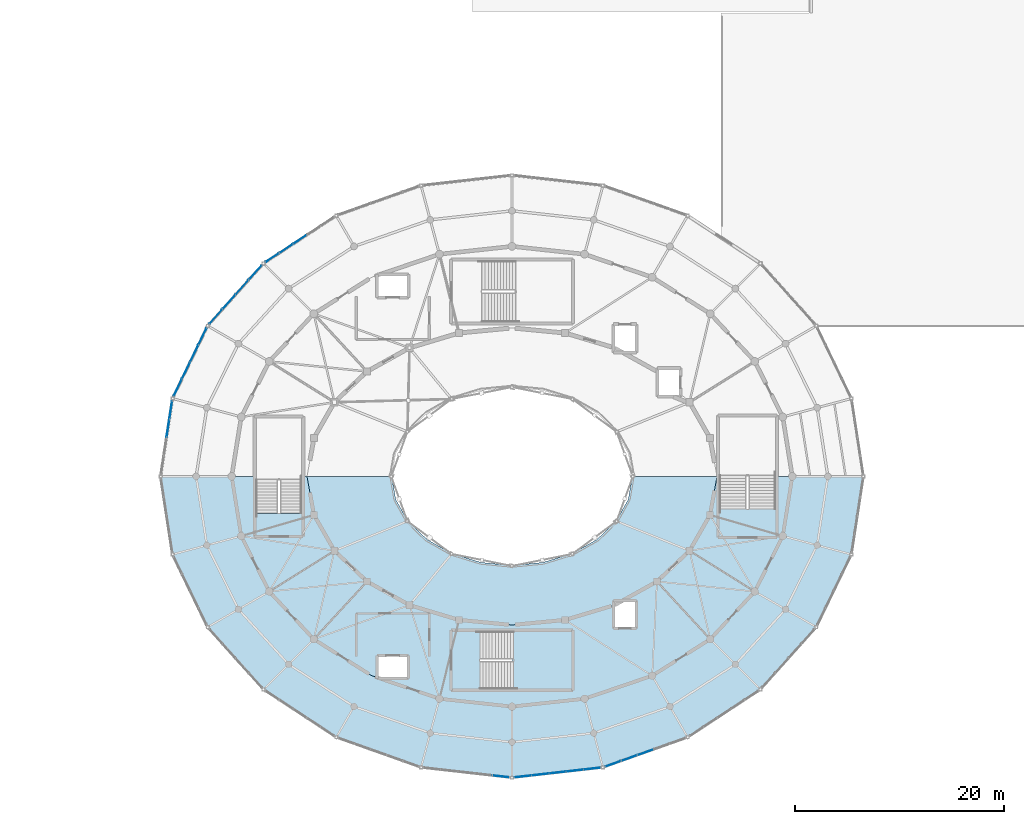
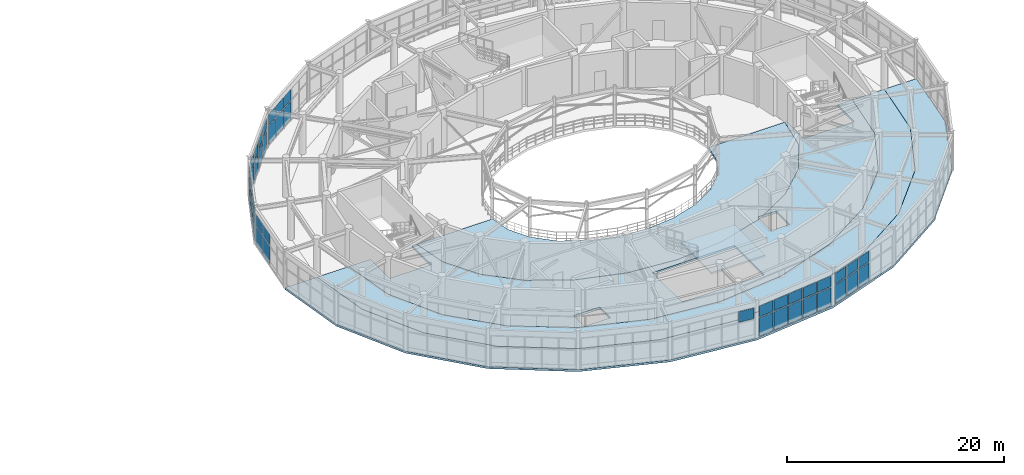
# One storey, part 32 of 60: 43 plates, 5 slabs, 8 elements without a shape of their own.
"""IFC4 building model written with IfcOpenShell, lengths in metres."""

from ifc_helpers import new_model, si_unit, direction, frame, origin, origin_2d, place, context, subcontext, project, spatial, polyline, rectangle, outline, extrude, material, layer, layer_set, type_object, element, aggregate, save


model = new_model("IFC4")

# Units and contexts
model_context = context("Model", 3, precision=1e-05, world=origin(), true_north=direction((0.0, 1.0)))
body_context = subcontext(model_context, "Body", "Model", "MODEL_VIEW")
ifc_project = project(units=[si_unit("LENGTHUNIT", "METRE"), si_unit("AREAUNIT", "SQUARE_METRE"), si_unit("VOLUMEUNIT", "CUBIC_METRE"), si_unit("PLANEANGLEUNIT", "RADIAN"), si_unit("MASSUNIT", "GRAM", prefix="KILO")], contexts=[model_context])

# Site, building, storey
site_placement = place(None, origin())
site = spatial("IfcSite", under=ifc_project, at=site_placement, CompositionType="ELEMENT")
building_placement = place(site_placement, origin())
building = spatial("IfcBuilding", under=site, at=building_placement, Name="Cinderbank Siding Concert Hall", CompositionType="ELEMENT")
storey_placement = place(building_placement, frame((0.0, 0.0, 14.699951171875)))
storey = spatial("IfcBuildingStorey", under=building, at=storey_placement, Name="L04", CompositionType="ELEMENT", Elevation=14.699951171875)

# Curtain wall, plates
ifc_material_1 = material(Name="Anodised aluminium alloy 6063-T6", Category="aluminium")
curtain_wall_type_1 = type_object("IfcCurtainWallType", Name="CW-09 Unitised Acoustic Curtain Wall 8000x3500", PredefinedType="NOTDEFINED", material=ifc_material_1)
curtain_wall_1_placement = place(storey_placement, origin())
curtain_wall_1 = element("IfcCurtainWall", 1, at=curtain_wall_1_placement, inside=storey, type_object=curtain_wall_type_1, Name="L04 Curtain Wall CW-09 #56", PredefinedType="NOTDEFINED")
ifc_material_2 = material(Name="Double-glazed laminated acoustic glass", Category="glass")
ifc_layer_1 = layer(ifc_material_2, 0.035888671875)
ifc_layer_set_1 = layer_set([ifc_layer_1], Name="Double-glazed laminated acoustic glass")
plate_type_1 = type_object("IfcPlateType", Name="CP-01 Glazed Curtain Panel 1800x2200", PredefinedType="CURTAIN_PANEL", material=ifc_layer_set_1)
plate_1_placement = place(storey_placement, frame((101.720703125, 66.653076171875, 0.1201171875), z_axis=(0.0, 0.0, 1.0), x_axis=(-0.835491932304, -0.549502712509, 0.0)))
plate_1 = element("IfcPlate", 2, at=plate_1_placement, type_object=plate_type_1, Name="CW-L04-056 Glazed Panel 2-0", PredefinedType="CURTAIN_PANEL", context=body_context, shape_type="SweptSolid", body=[
    extrude(rectangle(XDim=1.47509765625, YDim=0.035888671875, at=origin_2d()), origin(), (0.0, 0.0, 1.0), 2.0625),
])
plate_2_placement = place(storey_placement, frame((101.720703125, 66.653076171875, 2.302734375), z_axis=(0.0, 0.0, 1.0), x_axis=(-0.835491932304, -0.549502712509, 0.0)))
plate_2 = element("IfcPlate", 3, at=plate_2_placement, type_object=plate_type_1, Name="CW-L04-056 Glazed Panel 2-1", PredefinedType="CURTAIN_PANEL", context=body_context, shape_type="SweptSolid", body=[
    extrude(rectangle(XDim=1.47509765625, YDim=0.035888671875, at=origin_2d()), origin(), (0.0, 0.0, 1.0), 1.194580078125),
])
plate_3_placement = place(storey_placement, frame((100.40478515625, 65.78759765625, 0.1201171875), z_axis=(0.0, 0.0, 1.0), x_axis=(-0.835491932304, -0.549502712509, 0.0)))
plate_3 = element("IfcPlate", 4, at=plate_3_placement, type_object=plate_type_1, Name="CW-L04-056 Glazed Panel 3-0", PredefinedType="CURTAIN_PANEL", context=body_context, shape_type="SweptSolid", body=[
    extrude(rectangle(XDim=1.47509765625, YDim=0.035888671875, at=origin_2d()), origin(), (0.0, 0.0, 1.0), 2.0625),
])
plate_4_placement = place(storey_placement, frame((100.40478515625, 65.78759765625, 2.302734375), z_axis=(0.0, 0.0, 1.0), x_axis=(-0.835491932304, -0.549502712509, 0.0)))
plate_4 = element("IfcPlate", 5, at=plate_4_placement, type_object=plate_type_1, Name="CW-L04-056 Glazed Panel 3-1", PredefinedType="CURTAIN_PANEL", context=body_context, shape_type="SweptSolid", body=[
    extrude(rectangle(XDim=1.47509765625, YDim=0.035888671875, at=origin_2d()), origin(), (0.0, 0.0, 1.0), 1.194580078125),
])
plate_5_placement = place(storey_placement, frame((99.0888671875, 64.922119140625, 0.1201171875), z_axis=(0.0, 0.0, 1.0), x_axis=(-0.835491932304, -0.549502712509, 0.0)))
plate_5 = element("IfcPlate", 6, at=plate_5_placement, type_object=plate_type_1, Name="CW-L04-056 Glazed Panel 4-0", PredefinedType="CURTAIN_PANEL", context=body_context, shape_type="SweptSolid", body=[
    extrude(rectangle(XDim=1.47509765625, YDim=0.035888671875, at=origin_2d()), origin(), (0.0, 0.0, 1.0), 2.0625),
])
plate_6_placement = place(storey_placement, frame((99.0888671875, 64.922119140625, 2.302734375), z_axis=(0.0, 0.0, 1.0), x_axis=(-0.835491932304, -0.549502712509, 0.0)))
plate_6 = element("IfcPlate", 7, at=plate_6_placement, type_object=plate_type_1, Name="CW-L04-056 Glazed Panel 4-1", PredefinedType="CURTAIN_PANEL", context=body_context, shape_type="SweptSolid", body=[
    extrude(rectangle(XDim=1.47509765625, YDim=0.035888671875, at=origin_2d()), origin(), (0.0, 0.0, 1.0), 1.194580078125),
])
aggregate(curtain_wall_1, [plate_1, plate_2, plate_3, plate_4, plate_5, plate_6])

curtain_wall_type_2 = type_object("IfcCurtainWallType", Name="CW-10 Unitised Acoustic Curtain Wall 7200x3500", PredefinedType="NOTDEFINED", material=ifc_material_1)
curtain_wall_2_placement = place(storey_placement, origin())
curtain_wall_2 = element("IfcCurtainWall", 8, at=curtain_wall_2_placement, inside=storey, type_object=curtain_wall_type_2, Name="L04 Curtain Wall CW-10 #57", PredefinedType="NOTDEFINED")
ifc_layer_2 = layer(ifc_material_2, 0.035888671875)
ifc_layer_set_2 = layer_set([ifc_layer_2], Name="Double-glazed laminated acoustic glass")
plate_type_2 = type_object("IfcPlateType", Name="CP-02 Glazed Curtain Panel 1800x1900", PredefinedType="CURTAIN_PANEL", material=ifc_layer_set_2)
plate_7_placement = place(storey_placement, frame((97.460205078125, 63.4921875, 0.1201171875), z_axis=(0.0, 0.0, 1.0), x_axis=(-0.666993465338, -0.745063565877, 0.0)))
plate_7 = element("IfcPlate", 9, at=plate_7_placement, type_object=plate_type_2, Name="CW-L04-057 Glazed Panel 0-0", PredefinedType="CURTAIN_PANEL", context=body_context, shape_type="SweptSolid", body=[
    extrude(rectangle(XDim=1.787841796875, YDim=0.035888671875, at=origin_2d()), origin(), (0.0, 0.0, 1.0), 2.0625),
])
plate_8_placement = place(storey_placement, frame((97.460205078125, 63.4921875, 2.302734375), z_axis=(0.0, 0.0, 1.0), x_axis=(-0.666993465338, -0.745063565877, 0.0)))
plate_8 = element("IfcPlate", 10, at=plate_8_placement, type_object=plate_type_2, Name="CW-L04-057 Glazed Panel 0-1", PredefinedType="CURTAIN_PANEL", context=body_context, shape_type="SweptSolid", body=[
    extrude(rectangle(XDim=1.787841796875, YDim=0.035888671875, at=origin_2d()), origin(), (0.0, 0.0, 1.0), 1.194580078125),
])
plate_9_placement = place(storey_placement, frame((96.200927734375, 62.085693359375, 0.1201171875), z_axis=(0.0, 0.0, 1.0), x_axis=(-0.666993465338, -0.745063565877, 0.0)))
plate_9 = element("IfcPlate", 11, at=plate_9_placement, type_object=plate_type_2, Name="CW-L04-057 Glazed Panel 1-0", PredefinedType="CURTAIN_PANEL", context=body_context, shape_type="SweptSolid", body=[
    extrude(rectangle(XDim=1.787841796875, YDim=0.035888671875, at=origin_2d()), origin(), (0.0, 0.0, 1.0), 2.0625),
])
plate_10_placement = place(storey_placement, frame((96.200927734375, 62.085693359375, 2.302734375), z_axis=(0.0, 0.0, 1.0), x_axis=(-0.666993465338, -0.745063565877, 0.0)))
plate_10 = element("IfcPlate", 12, at=plate_10_placement, type_object=plate_type_2, Name="CW-L04-057 Glazed Panel 1-1", PredefinedType="CURTAIN_PANEL", context=body_context, shape_type="SweptSolid", body=[
    extrude(rectangle(XDim=1.787841796875, YDim=0.035888671875, at=origin_2d()), origin(), (0.0, 0.0, 1.0), 1.194580078125),
])
plate_11_placement = place(storey_placement, frame((94.941650390625, 60.678955078125, 0.1201171875), z_axis=(0.0, 0.0, 1.0), x_axis=(-0.666993465338, -0.745063565877, 0.0)))
plate_11 = element("IfcPlate", 13, at=plate_11_placement, type_object=plate_type_2, Name="CW-L04-057 Glazed Panel 2-0", PredefinedType="CURTAIN_PANEL", context=body_context, shape_type="SweptSolid", body=[
    extrude(rectangle(XDim=1.787841796875, YDim=0.035888671875, at=origin_2d()), origin(), (0.0, 0.0, 1.0), 2.0625),
])
plate_12_placement = place(storey_placement, frame((94.941650390625, 60.678955078125, 2.302734375), z_axis=(0.0, 0.0, 1.0), x_axis=(-0.666993465338, -0.745063565877, 0.0)))
plate_12 = element("IfcPlate", 14, at=plate_12_placement, type_object=plate_type_2, Name="CW-L04-057 Glazed Panel 2-1", PredefinedType="CURTAIN_PANEL", context=body_context, shape_type="SweptSolid", body=[
    extrude(rectangle(XDim=1.787841796875, YDim=0.035888671875, at=origin_2d()), origin(), (0.0, 0.0, 1.0), 1.194580078125),
])
plate_13_placement = place(storey_placement, frame((93.6826171875, 59.2724609375, 0.1201171875), z_axis=(0.0, 0.0, 1.0), x_axis=(-0.666993465338, -0.745063565877, 0.0)))
plate_13 = element("IfcPlate", 15, at=plate_13_placement, type_object=plate_type_2, Name="CW-L04-057 Glazed Panel 3-0", PredefinedType="CURTAIN_PANEL", context=body_context, shape_type="SweptSolid", body=[
    extrude(rectangle(XDim=1.787841796875, YDim=0.035888671875, at=origin_2d()), origin(), (0.0, 0.0, 1.0), 2.0625),
])
plate_14_placement = place(storey_placement, frame((93.6826171875, 59.2724609375, 2.302734375), z_axis=(0.0, 0.0, 1.0), x_axis=(-0.666993465338, -0.745063565877, 0.0)))
plate_14 = element("IfcPlate", 16, at=plate_14_placement, type_object=plate_type_2, Name="CW-L04-057 Glazed Panel 3-1", PredefinedType="CURTAIN_PANEL", context=body_context, shape_type="SweptSolid", body=[
    extrude(rectangle(XDim=1.787841796875, YDim=0.035888671875, at=origin_2d()), origin(), (0.0, 0.0, 1.0), 1.194580078125),
])
aggregate(curtain_wall_2, [plate_7, plate_8, plate_9, plate_10, plate_11, plate_12, plate_13, plate_14])

# Curtain wall, plate
curtain_wall_type_3 = type_object("IfcCurtainWallType", Name="CW-06 Unitised Acoustic Curtain Wall 7600x3800", PredefinedType="NOTDEFINED", material=ifc_material_1)
curtain_wall_3_placement = place(storey_placement, origin())
curtain_wall_3 = element("IfcCurtainWall", 17, at=curtain_wall_3_placement, inside=storey, type_object=curtain_wall_type_3, Name="L04 Curtain Wall CW-06 #65", PredefinedType="NOTDEFINED")
plate_15_placement = place(storey_placement, frame((120.949951171875, 15.318603515625, 2.302734375), z_axis=(0.0, 0.0, 1.0), x_axis=(0.993693605349, -0.112129472879, 0.0)))
plate_15 = element("IfcPlate", 18, at=plate_15_placement, type_object=plate_type_2, Name="CW-L04-065 Glazed Panel 4-1", PredefinedType="CURTAIN_PANEL", context=body_context, shape_type="SweptSolid", body=[
    extrude(rectangle(XDim=1.5595703125, YDim=0.035888671875, at=origin_2d()), origin(), (0.0, 0.0, 1.0), 1.194580078125),
])
aggregate(curtain_wall_3, [plate_15])

# Curtain wall, plates
curtain_wall_type_4 = type_object("IfcCurtainWallType", Name="CW-11 Unitised Acoustic Curtain Wall 6600x3500", PredefinedType="NOTDEFINED", material=ifc_material_1)
curtain_wall_4_placement = place(storey_placement, origin())
curtain_wall_4 = element("IfcCurtainWall", 19, at=curtain_wall_4_placement, inside=storey, type_object=curtain_wall_type_4, Name="L04 Curtain Wall CW-11 #58", PredefinedType="NOTDEFINED")
ifc_layer_3 = layer(ifc_material_2, 0.035888671875)
ifc_layer_set_3 = layer_set([ifc_layer_3], Name="Double-glazed laminated acoustic glass")
plate_type_3 = type_object("IfcPlateType", Name="CP-03 Glazed Curtain Panel 1600x2100", PredefinedType="CURTAIN_PANEL", material=ifc_layer_set_3)
plate_16_placement = place(storey_placement, frame((92.407958984375, 57.37841796875, 0.1201171875), z_axis=(0.0, 0.0, 1.0), x_axis=(-0.435102109714, -0.900381116041, 0.0)))
plate_16 = element("IfcPlate", 20, at=plate_16_placement, type_object=plate_type_3, Name="CW-L04-058 Glazed Panel 0-0", PredefinedType="CURTAIN_PANEL", context=body_context, shape_type="SweptSolid", body=[
    extrude(rectangle(XDim=1.715087890625, YDim=0.035888671875, at=origin_2d()), origin(), (0.0, 0.0, 1.0), 2.0625),
])
plate_17_placement = place(storey_placement, frame((92.407958984375, 57.37841796875, 2.302734375), z_axis=(0.0, 0.0, 1.0), x_axis=(-0.435102109714, -0.900381116041, 0.0)))
plate_17 = element("IfcPlate", 21, at=plate_17_placement, type_object=plate_type_3, Name="CW-L04-058 Glazed Panel 0-1", PredefinedType="CURTAIN_PANEL", context=body_context, shape_type="SweptSolid", body=[
    extrude(rectangle(XDim=1.715087890625, YDim=0.035888671875, at=origin_2d()), origin(), (0.0, 0.0, 1.0), 1.194580078125),
])
plate_18_placement = place(storey_placement, frame((91.6181640625, 55.744140625, 0.1201171875), z_axis=(0.0, 0.0, 1.0), x_axis=(-0.435102109714, -0.900381116041, 0.0)))
plate_18 = element("IfcPlate", 22, at=plate_18_placement, type_object=plate_type_3, Name="CW-L04-058 Glazed Panel 1-0", PredefinedType="CURTAIN_PANEL", context=body_context, shape_type="SweptSolid", body=[
    extrude(rectangle(XDim=1.715087890625, YDim=0.035888671875, at=origin_2d()), origin(), (0.0, 0.0, 1.0), 2.0625),
])
plate_19_placement = place(storey_placement, frame((91.6181640625, 55.744140625, 2.302734375), z_axis=(0.0, 0.0, 1.0), x_axis=(-0.435102109714, -0.900381116041, 0.0)))
plate_19 = element("IfcPlate", 23, at=plate_19_placement, type_object=plate_type_3, Name="CW-L04-058 Glazed Panel 1-1", PredefinedType="CURTAIN_PANEL", context=body_context, shape_type="SweptSolid", body=[
    extrude(rectangle(XDim=1.715087890625, YDim=0.035888671875, at=origin_2d()), origin(), (0.0, 0.0, 1.0), 1.194580078125),
])
plate_20_placement = place(storey_placement, frame((90.828369140625, 54.10986328125, 0.1201171875), z_axis=(0.0, 0.0, 1.0), x_axis=(-0.435102109714, -0.900381116041, 0.0)))
plate_20 = element("IfcPlate", 24, at=plate_20_placement, type_object=plate_type_3, Name="CW-L04-058 Glazed Panel 2-0", PredefinedType="CURTAIN_PANEL", context=body_context, shape_type="SweptSolid", body=[
    extrude(rectangle(XDim=1.715087890625, YDim=0.035888671875, at=origin_2d()), origin(), (0.0, 0.0, 1.0), 2.0625),
])
plate_21_placement = place(storey_placement, frame((90.828369140625, 54.10986328125, 2.302734375), z_axis=(0.0, 0.0, 1.0), x_axis=(-0.435102109714, -0.900381116041, 0.0)))
plate_21 = element("IfcPlate", 25, at=plate_21_placement, type_object=plate_type_3, Name="CW-L04-058 Glazed Panel 2-1", PredefinedType="CURTAIN_PANEL", context=body_context, shape_type="SweptSolid", body=[
    extrude(rectangle(XDim=1.715087890625, YDim=0.035888671875, at=origin_2d()), origin(), (0.0, 0.0, 1.0), 1.194580078125),
])
plate_22_placement = place(storey_placement, frame((90.03857421875, 52.4755859375, 0.1201171875), z_axis=(0.0, 0.0, 1.0), x_axis=(-0.435102109714, -0.900381116041, 0.0)))
plate_22 = element("IfcPlate", 26, at=plate_22_placement, type_object=plate_type_3, Name="CW-L04-058 Glazed Panel 3-0", PredefinedType="CURTAIN_PANEL", context=body_context, shape_type="SweptSolid", body=[
    extrude(rectangle(XDim=1.715087890625, YDim=0.035888671875, at=origin_2d()), origin(), (0.0, 0.0, 1.0), 2.0625),
])
plate_23_placement = place(storey_placement, frame((90.03857421875, 52.4755859375, 2.302734375), z_axis=(0.0, 0.0, 1.0), x_axis=(-0.435102109714, -0.900381116041, 0.0)))
plate_23 = element("IfcPlate", 27, at=plate_23_placement, type_object=plate_type_3, Name="CW-L04-058 Glazed Panel 3-1", PredefinedType="CURTAIN_PANEL", context=body_context, shape_type="SweptSolid", body=[
    extrude(rectangle(XDim=1.715087890625, YDim=0.035888671875, at=origin_2d()), origin(), (0.0, 0.0, 1.0), 1.194580078125),
])
aggregate(curtain_wall_4, [plate_16, plate_17, plate_18, plate_19, plate_20, plate_21, plate_22, plate_23])

curtain_wall_type_5 = type_object("IfcCurtainWallType", Name="CW-07 Unitised Acoustic Curtain Wall 7000x3800", PredefinedType="NOTDEFINED", material=ifc_material_1)
curtain_wall_5_placement = place(storey_placement, origin())
curtain_wall_5 = element("IfcCurtainWall", 28, at=curtain_wall_5_placement, inside=storey, type_object=curtain_wall_type_5, Name="L04 Curtain Wall CW-07 #66", PredefinedType="NOTDEFINED")
plate_24_placement = place(storey_placement, frame((123.050048828125, 15.318603515625, 0.1201171875), z_axis=(0.0, 0.0, 1.0), x_axis=(0.993693605349, 0.112129472879, 0.0)))
plate_24 = element("IfcPlate", 29, at=plate_24_placement, type_object=plate_type_3, Name="CW-L04-066 Glazed Panel 0-0", PredefinedType="CURTAIN_PANEL", context=body_context, shape_type="SweptSolid", body=[
    extrude(rectangle(XDim=1.5595703125, YDim=0.035888671875, at=origin_2d()), origin(), (0.0, 0.0, 1.0), 2.0625),
])
plate_25_placement = place(storey_placement, frame((123.050048828125, 15.318603515625, 2.302734375), z_axis=(0.0, 0.0, 1.0), x_axis=(0.993693605349, 0.112129472879, 0.0)))
plate_25 = element("IfcPlate", 30, at=plate_25_placement, type_object=plate_type_3, Name="CW-L04-066 Glazed Panel 0-1", PredefinedType="CURTAIN_PANEL", context=body_context, shape_type="SweptSolid", body=[
    extrude(rectangle(XDim=1.5595703125, YDim=0.035888671875, at=origin_2d()), origin(), (0.0, 0.0, 1.0), 1.194580078125),
])
plate_26_placement = place(storey_placement, frame((124.69921875, 15.504638671875, 0.1201171875), z_axis=(0.0, 0.0, 1.0), x_axis=(0.993693605349, 0.112129472879, 0.0)))
plate_26 = element("IfcPlate", 31, at=plate_26_placement, type_object=plate_type_3, Name="CW-L04-066 Glazed Panel 1-0", PredefinedType="CURTAIN_PANEL", context=body_context, shape_type="SweptSolid", body=[
    extrude(rectangle(XDim=1.5595703125, YDim=0.035888671875, at=origin_2d()), origin(), (0.0, 0.0, 1.0), 2.0625),
])
plate_27_placement = place(storey_placement, frame((124.69921875, 15.504638671875, 2.302734375), z_axis=(0.0, 0.0, 1.0), x_axis=(0.993693605349, 0.112129472879, 0.0)))
plate_27 = element("IfcPlate", 32, at=plate_27_placement, type_object=plate_type_3, Name="CW-L04-066 Glazed Panel 1-1", PredefinedType="CURTAIN_PANEL", context=body_context, shape_type="SweptSolid", body=[
    extrude(rectangle(XDim=1.5595703125, YDim=0.035888671875, at=origin_2d()), origin(), (0.0, 0.0, 1.0), 1.194580078125),
])
plate_28_placement = place(storey_placement, frame((126.34814453125, 15.690673828125, 0.1201171875), z_axis=(0.0, 0.0, 1.0), x_axis=(0.993693605349, 0.112129472879, 0.0)))
plate_28 = element("IfcPlate", 33, at=plate_28_placement, type_object=plate_type_3, Name="CW-L04-066 Glazed Panel 2-0", PredefinedType="CURTAIN_PANEL", context=body_context, shape_type="SweptSolid", body=[
    extrude(rectangle(XDim=1.5595703125, YDim=0.035888671875, at=origin_2d()), origin(), (0.0, 0.0, 1.0), 2.0625),
])
plate_29_placement = place(storey_placement, frame((126.34814453125, 15.690673828125, 2.302734375), z_axis=(0.0, 0.0, 1.0), x_axis=(0.993693605349, 0.112129472879, 0.0)))
plate_29 = element("IfcPlate", 34, at=plate_29_placement, type_object=plate_type_3, Name="CW-L04-066 Glazed Panel 2-1", PredefinedType="CURTAIN_PANEL", context=body_context, shape_type="SweptSolid", body=[
    extrude(rectangle(XDim=1.5595703125, YDim=0.035888671875, at=origin_2d()), origin(), (0.0, 0.0, 1.0), 1.194580078125),
])
plate_30_placement = place(storey_placement, frame((127.997314453125, 15.876708984375, 0.1201171875), z_axis=(0.0, 0.0, 1.0), x_axis=(0.993693605349, 0.112129472879, 0.0)))
plate_30 = element("IfcPlate", 35, at=plate_30_placement, type_object=plate_type_3, Name="CW-L04-066 Glazed Panel 3-0", PredefinedType="CURTAIN_PANEL", context=body_context, shape_type="SweptSolid", body=[
    extrude(rectangle(XDim=1.5595703125, YDim=0.035888671875, at=origin_2d()), origin(), (0.0, 0.0, 1.0), 2.0625),
])
plate_31_placement = place(storey_placement, frame((127.997314453125, 15.876708984375, 2.302734375), z_axis=(0.0, 0.0, 1.0), x_axis=(0.993693605349, 0.112129472879, 0.0)))
plate_31 = element("IfcPlate", 36, at=plate_31_placement, type_object=plate_type_3, Name="CW-L04-066 Glazed Panel 3-1", PredefinedType="CURTAIN_PANEL", context=body_context, shape_type="SweptSolid", body=[
    extrude(rectangle(XDim=1.5595703125, YDim=0.035888671875, at=origin_2d()), origin(), (0.0, 0.0, 1.0), 1.194580078125),
])
plate_32_placement = place(storey_placement, frame((129.646240234375, 16.062744140625, 0.1201171875), z_axis=(0.0, 0.0, 1.0), x_axis=(0.993693605349, 0.112129472879, 0.0)))
plate_32 = element("IfcPlate", 37, at=plate_32_placement, type_object=plate_type_3, Name="CW-L04-066 Glazed Panel 4-0", PredefinedType="CURTAIN_PANEL", context=body_context, shape_type="SweptSolid", body=[
    extrude(rectangle(XDim=1.5595703125, YDim=0.035888671875, at=origin_2d()), origin(), (0.0, 0.0, 1.0), 2.0625),
])
plate_33_placement = place(storey_placement, frame((129.646240234375, 16.062744140625, 2.302734375), z_axis=(0.0, 0.0, 1.0), x_axis=(0.993693605349, 0.112129472879, 0.0)))
plate_33 = element("IfcPlate", 38, at=plate_33_placement, type_object=plate_type_3, Name="CW-L04-066 Glazed Panel 4-1", PredefinedType="CURTAIN_PANEL", context=body_context, shape_type="SweptSolid", body=[
    extrude(rectangle(XDim=1.5595703125, YDim=0.035888671875, at=origin_2d()), origin(), (0.0, 0.0, 1.0), 1.194580078125),
])
aggregate(curtain_wall_5, [plate_24, plate_25, plate_26, plate_27, plate_28, plate_29, plate_30, plate_31, plate_32, plate_33])

curtain_wall_type_6 = type_object("IfcCurtainWallType", Name="CW-12 Unitised Acoustic Curtain Wall 5800x3500", PredefinedType="NOTDEFINED", material=ifc_material_1)
curtain_wall_6_placement = place(storey_placement, origin())
curtain_wall_6 = element("IfcCurtainWall", 39, at=curtain_wall_6_placement, inside=storey, type_object=curtain_wall_type_6, Name="L04 Curtain Wall CW-12 #59", PredefinedType="NOTDEFINED")
ifc_layer_4 = layer(ifc_material_2, 0.031982421875)
ifc_layer_set_4 = layer_set([ifc_layer_4], Name="Double-glazed laminated acoustic glass")
plate_type_4 = type_object("IfcPlateType", Name="CP-04 Glazed Curtain Panel 1400x2000", PredefinedType="CURTAIN_PANEL", material=ifc_layer_set_4)
plate_34_placement = place(storey_placement, frame((89.3759765625, 50.35400390625, 0.1201171875), z_axis=(0.0, 0.0, 1.0), x_axis=(-0.151815048473, -0.988408918949, 0.0)))
plate_34 = element("IfcPlate", 40, at=plate_34_placement, type_object=plate_type_4, Name="CW-L04-059 Glazed Panel 0-0", PredefinedType="CURTAIN_PANEL", context=body_context, shape_type="SweptSolid", body=[
    extrude(rectangle(XDim=1.671875, YDim=0.035888671875, at=origin_2d()), origin(), (0.0, 0.0, 1.0), 2.0625),
])
plate_35_placement = place(storey_placement, frame((89.3759765625, 50.35400390625, 2.302734375), z_axis=(0.0, 0.0, 1.0), x_axis=(-0.151815048473, -0.988408918949, 0.0)))
plate_35 = element("IfcPlate", 41, at=plate_35_placement, type_object=plate_type_4, Name="CW-L04-059 Glazed Panel 0-1", PredefinedType="CURTAIN_PANEL", context=body_context, shape_type="SweptSolid", body=[
    extrude(rectangle(XDim=1.671875, YDim=0.035888671875, at=origin_2d()), origin(), (0.0, 0.0, 1.0), 1.194580078125),
])
plate_36_placement = place(storey_placement, frame((89.10693359375, 48.602783203125, 0.1201171875), z_axis=(0.0, 0.0, 1.0), x_axis=(-0.151815048473, -0.988408918949, 0.0)))
plate_36 = element("IfcPlate", 42, at=plate_36_placement, type_object=plate_type_4, Name="CW-L04-059 Glazed Panel 1-0", PredefinedType="CURTAIN_PANEL", context=body_context, shape_type="SweptSolid", body=[
    extrude(rectangle(XDim=1.671875, YDim=0.035888671875, at=origin_2d()), origin(), (0.0, 0.0, 1.0), 2.0625),
])
plate_37_placement = place(storey_placement, frame((89.10693359375, 48.602783203125, 2.302734375), z_axis=(0.0, 0.0, 1.0), x_axis=(-0.151815048473, -0.988408918949, 0.0)))
plate_37 = element("IfcPlate", 43, at=plate_37_placement, type_object=plate_type_4, Name="CW-L04-059 Glazed Panel 1-1", PredefinedType="CURTAIN_PANEL", context=body_context, shape_type="SweptSolid", body=[
    extrude(rectangle(XDim=1.671875, YDim=0.035888671875, at=origin_2d()), origin(), (0.0, 0.0, 1.0), 1.194580078125),
])
aggregate(curtain_wall_6, [plate_34, plate_35, plate_36, plate_37])

curtain_wall_type_7 = type_object("IfcCurtainWallType", Name="CW-08 Unitised Acoustic Curtain Wall 6400x3800", PredefinedType="NOTDEFINED", material=ifc_material_1)
curtain_wall_7_placement = place(storey_placement, origin())
curtain_wall_7 = element("IfcCurtainWall", 44, at=curtain_wall_7_placement, inside=storey, type_object=curtain_wall_type_7, Name="L04 Curtain Wall CW-08 #67", PredefinedType="NOTDEFINED")
plate_38_placement = place(storey_placement, frame((131.677734375, 16.52978515625, 0.1201171875), z_axis=(0.0, 0.0, 1.0), x_axis=(0.942365662238, 0.334584755532, 0.0)))
plate_38 = element("IfcPlate", 45, at=plate_38_placement, type_object=plate_type_4, Name="CW-L04-067 Glazed Panel 0-0", PredefinedType="CURTAIN_PANEL", context=body_context, shape_type="SweptSolid", body=[
    extrude(rectangle(XDim=1.529052734375, YDim=0.035888671875, at=origin_2d()), origin(), (0.0, 0.0, 1.0), 2.0625),
])
plate_39_placement = place(storey_placement, frame((131.677734375, 16.52978515625, 2.302734375), z_axis=(0.0, 0.0, 1.0), x_axis=(0.942365662238, 0.334584755532, 0.0)))
plate_39 = element("IfcPlate", 46, at=plate_39_placement, type_object=plate_type_4, Name="CW-L04-067 Glazed Panel 0-1", PredefinedType="CURTAIN_PANEL", context=body_context, shape_type="SweptSolid", body=[
    extrude(rectangle(XDim=1.529052734375, YDim=0.035888671875, at=origin_2d()), origin(), (0.0, 0.0, 1.0), 1.194580078125),
])
plate_40_placement = place(storey_placement, frame((133.212890625, 17.07470703125, 0.1201171875), z_axis=(0.0, 0.0, 1.0), x_axis=(0.942365662238, 0.334584755532, 0.0)))
plate_40 = element("IfcPlate", 47, at=plate_40_placement, type_object=plate_type_4, Name="CW-L04-067 Glazed Panel 1-0", PredefinedType="CURTAIN_PANEL", context=body_context, shape_type="SweptSolid", body=[
    extrude(rectangle(XDim=1.529052734375, YDim=0.035888671875, at=origin_2d()), origin(), (0.0, 0.0, 1.0), 2.0625),
])
plate_41_placement = place(storey_placement, frame((133.212890625, 17.07470703125, 2.302734375), z_axis=(0.0, 0.0, 1.0), x_axis=(0.942365662238, 0.334584755532, 0.0)))
plate_41 = element("IfcPlate", 48, at=plate_41_placement, type_object=plate_type_4, Name="CW-L04-067 Glazed Panel 1-1", PredefinedType="CURTAIN_PANEL", context=body_context, shape_type="SweptSolid", body=[
    extrude(rectangle(XDim=1.529052734375, YDim=0.035888671875, at=origin_2d()), origin(), (0.0, 0.0, 1.0), 1.194580078125),
])
plate_42_placement = place(storey_placement, frame((134.748291015625, 17.619873046875, 0.1201171875), z_axis=(0.0, 0.0, 1.0), x_axis=(0.942365662238, 0.334584755532, 0.0)))
plate_42 = element("IfcPlate", 49, at=plate_42_placement, type_object=plate_type_4, Name="CW-L04-067 Glazed Panel 2-0", PredefinedType="CURTAIN_PANEL", context=body_context, shape_type="SweptSolid", body=[
    extrude(rectangle(XDim=1.529052734375, YDim=0.035888671875, at=origin_2d()), origin(), (0.0, 0.0, 1.0), 2.0625),
])
plate_43_placement = place(storey_placement, frame((134.748291015625, 17.619873046875, 2.302734375), z_axis=(0.0, 0.0, 1.0), x_axis=(0.942365662238, 0.334584755532, 0.0)))
plate_43 = element("IfcPlate", 50, at=plate_43_placement, type_object=plate_type_4, Name="CW-L04-067 Glazed Panel 2-1", PredefinedType="CURTAIN_PANEL", context=body_context, shape_type="SweptSolid", body=[
    extrude(rectangle(XDim=1.529052734375, YDim=0.035888671875, at=origin_2d()), origin(), (0.0, 0.0, 1.0), 1.194580078125),
])
aggregate(curtain_wall_7, [plate_38, plate_39, plate_40, plate_41, plate_42, plate_43])

# Stair, slab
ifc_material_3 = material(Name="Reinforced concrete AS 3600 N50 (50 MPa)", Category="concrete")
stair_type = type_object("IfcStairType", Name="STR-A Dogleg Exit Stair 2650mm", PredefinedType="HALF_TURN_STAIR", material=ifc_material_3)
stair_placement = place(storey_placement, origin())
stair = element("IfcStair", 51, at=stair_placement, inside=storey, type_object=stair_type, Name="L04 Fire-isolated Exit Stair ST-02", PredefinedType="HALF_TURN_STAIR")
ifc_layer_5 = layer(ifc_material_3, 0.199951171875)
ifc_layer_set_5 = layer_set([ifc_layer_5], Name="Reinforced concrete AS 3600 N50 (50 MPa)")
slab_type_1 = type_object("IfcSlabType", Name="LD-02 Slab 200mm", PredefinedType="LANDING", material=ifc_layer_set_5)
slab_1_placement = place(storey_placement, frame((0.0, 0.0, 2.050048828125)))
slab_1 = element("IfcSlab", 52, at=slab_1_placement, type_object=slab_type_1, Name="ST-02 landing 1", PredefinedType="LANDING", context=body_context, shape_type="SweptSolid", body=[
    extrude(outline(polyline([(122.06005859375, 23.6201171875), (122.06005859375, 29.239990234375), (127.780029296875, 29.239990234375), (127.780029296875, 23.6201171875), (122.06005859375, 23.6201171875)])), origin(), (0.0, 0.0, 1.0), 0.199951171875),
])
aggregate(stair, [slab_1])

# Slabs
ifc_layer_6 = layer(ifc_material_3, 0.260009765625)
ifc_layer_set_6 = layer_set([ifc_layer_6], Name="Reinforced concrete AS 3600 N50 (50 MPa)")
slab_type_2 = type_object("IfcSlabType", Name="SL-03 Slab 260mm", PredefinedType="FLOOR", material=ifc_layer_set_6)
slab_2_placement = place(storey_placement, frame((0.0, 0.0, -0.260009765625)))
element("IfcSlab", 53, at=slab_2_placement, inside=storey, type_object=slab_type_2, Name="L04 Choir & Technical Ring South", PredefinedType="FLOOR", context=body_context, shape_type="SweptSolid", body=[
    extrude(outline(polyline([(135.859375, 33.958984375), (132.389404296875, 32.030029296875), (131.820068359375, 32.030029296875), (131.800048828125, 31.702392578125), (127.072998046875, 30.283935546875), (122.0, 29.800048828125), (116.927001953125, 30.283935546875), (112.199951171875, 31.702392578125), (108.140625, 33.958984375), (105.02587890625, 36.89990234375), (103.06787109375, 40.32470703125), (102.401123046875, 43.993896484375), (110.501220703125, 43.993896484375), (110.891845703125, 41.800048828125), (112.040771484375, 39.75), (113.868408203125, 37.989501953125), (116.25, 36.638916015625), (119.023681640625, 35.78955078125), (122.0, 35.5), (124.976318359375, 35.78955078125), (127.75, 36.638916015625), (130.131591796875, 37.989501953125), (131.959228515625, 39.75), (133.108154296875, 41.800048828125), (133.498779296875, 43.993896484375), (141.598876953125, 43.993896484375), (140.93212890625, 40.32470703125), (138.97412109375, 36.89990234375), (135.859375, 33.958984375)])), origin(), (0.0, 0.0, 1.0), 0.260009765625),
])
slab_3_placement = place(storey_placement, frame((0.0, 0.0, -0.260009765625)))
element("IfcSlab", 54, at=slab_3_placement, inside=storey, type_object=slab_type_2, Name="L04 Exhibition Inner Foyer South", PredefinedType="FLOOR", context=body_context, shape_type="SweptSolid", body=[
    extrude(outline(polyline([(148.154052734375, 31.300048828125), (143.3544921875, 26.03955078125), (137.10009765625, 22.0029296875), (129.81640625, 19.465576171875), (122.0, 18.60009765625), (114.18359375, 19.465576171875), (106.89990234375, 22.0029296875), (100.6455078125, 26.03955078125), (95.845947265625, 31.300048828125), (92.8291015625, 37.426025390625), (91.80078125, 43.993896484375), (95.200927734375, 43.993896484375), (96.11328125, 38.305908203125), (98.79052734375, 33.0), (103.049560546875, 28.443603515625), (108.60009765625, 24.947509765625), (115.063720703125, 22.74951171875), (122.0, 22.0), (128.936279296875, 22.74951171875), (135.39990234375, 24.947509765625), (140.950439453125, 28.443603515625), (145.20947265625, 33.0), (147.88671875, 38.305908203125), (148.799072265625, 43.993896484375), (152.19921875, 43.993896484375), (151.1708984375, 37.426025390625), (148.154052734375, 31.300048828125)])), origin(), (0.0, 0.0, 1.0), 0.260009765625),
])
ifc_layer_7 = layer(ifc_material_3, 0.25)
ifc_layer_set_7 = layer_set([ifc_layer_7], Name="Reinforced concrete AS 3600 N50 (50 MPa)")
slab_type_3 = type_object("IfcSlabType", Name="SL-04 Slab 250mm", PredefinedType="FLOOR", material=ifc_layer_set_7)
slab_4_placement = place(storey_placement, frame((0.0, 0.0, -0.25)))
element("IfcSlab", 55, at=slab_4_placement, inside=storey, type_object=slab_type_3, Name="L04 Exhibition Drum Ring South", PredefinedType="FLOOR", context=body_context, shape_type="SweptSolid", body=[
    extrude(outline(polyline([(122.0, 22.0), (115.063720703125, 22.74951171875), (108.60009765625, 24.947509765625), (103.049560546875, 28.443603515625), (98.79052734375, 33.0), (96.11328125, 38.305908203125), (95.200927734375, 43.993896484375), (97.52001953125, 43.993896484375), (97.52001953125, 40.47998046875), (101.919921875, 40.47998046875), (101.919921875, 43.993896484375), (102.401123046875, 43.993896484375), (103.06787109375, 40.32470703125), (105.02587890625, 36.89990234375), (108.140625, 33.958984375), (112.199951171875, 31.702392578125), (116.927001953125, 30.283935546875), (122.0, 29.800048828125), (127.072998046875, 30.283935546875), (131.820068359375, 31.71337890625), (131.820068359375, 29.570068359375), (133.780029296875, 29.570068359375), (133.780029296875, 32.030029296875), (132.389404296875, 32.030029296875), (135.859375, 33.958984375), (138.97412109375, 36.89990234375), (140.93212890625, 40.32470703125), (141.598876953125, 43.993896484375), (141.820068359375, 43.993896484375), (141.820068359375, 40.8798828125), (147.219970703125, 40.8798828125), (147.219970703125, 43.993896484375), (148.799072265625, 43.993896484375), (147.88671875, 38.305908203125), (145.20947265625, 33.0), (140.950439453125, 28.443603515625), (135.39990234375, 24.947509765625), (128.936279296875, 22.74951171875), (122.0, 22.0)]), holes=[polyline([(118.949951171875, 23.699951171875), (127.699951171875, 23.699951171875), (127.699951171875, 29.159912109375), (118.949951171875, 29.159912109375), (118.949951171875, 23.699951171875)]), polyline([(111.97998046875, 24.820068359375), (111.97998046875, 26.780029296875), (109.219970703125, 26.780029296875), (109.219970703125, 24.820068359375), (111.97998046875, 24.820068359375)])]), origin(), (0.0, 0.0, 1.0), 0.25),
])
ifc_layer_8 = layer(ifc_material_3, 0.219970703125)
ifc_layer_set_8 = layer_set([ifc_layer_8], Name="Reinforced concrete AS 3600 N50 (50 MPa)")
slab_type_4 = type_object("IfcSlabType", Name="SL-07 Slab 220mm", PredefinedType="FLOOR", material=ifc_layer_set_8)
slab_5_placement = place(storey_placement, frame((0.0, 0.0, -0.219970703125)))
element("IfcSlab", 56, at=slab_5_placement, inside=storey, type_object=slab_type_4, Name="L04 Exhibition Outer Promenade South", PredefinedType="FLOOR", context=body_context, shape_type="SweptSolid", body=[
    extrude(outline(polyline([(151.098388671875, 29.60009765625), (145.7587890625, 23.63525390625), (138.800048828125, 19.05859375), (130.6962890625, 16.181396484375), (122.0, 15.199951171875), (113.3037109375, 16.181396484375), (105.199951171875, 19.05859375), (98.2412109375, 23.63525390625), (92.901611328125, 29.60009765625), (89.544921875, 36.5458984375), (88.40087890625, 43.993896484375), (91.80078125, 43.993896484375), (92.8291015625, 37.426025390625), (95.845947265625, 31.300048828125), (100.6455078125, 26.03955078125), (106.89990234375, 22.0029296875), (114.18359375, 19.465576171875), (122.0, 18.60009765625), (129.81640625, 19.465576171875), (137.10009765625, 22.0029296875), (143.3544921875, 26.03955078125), (148.154052734375, 31.300048828125), (151.1708984375, 37.426025390625), (152.19921875, 43.993896484375), (155.59912109375, 43.993896484375), (154.455078125, 36.5458984375), (151.098388671875, 29.60009765625)])), origin(), (0.0, 0.0, 1.0), 0.219970703125),
])

save(model, "model.ifc")
